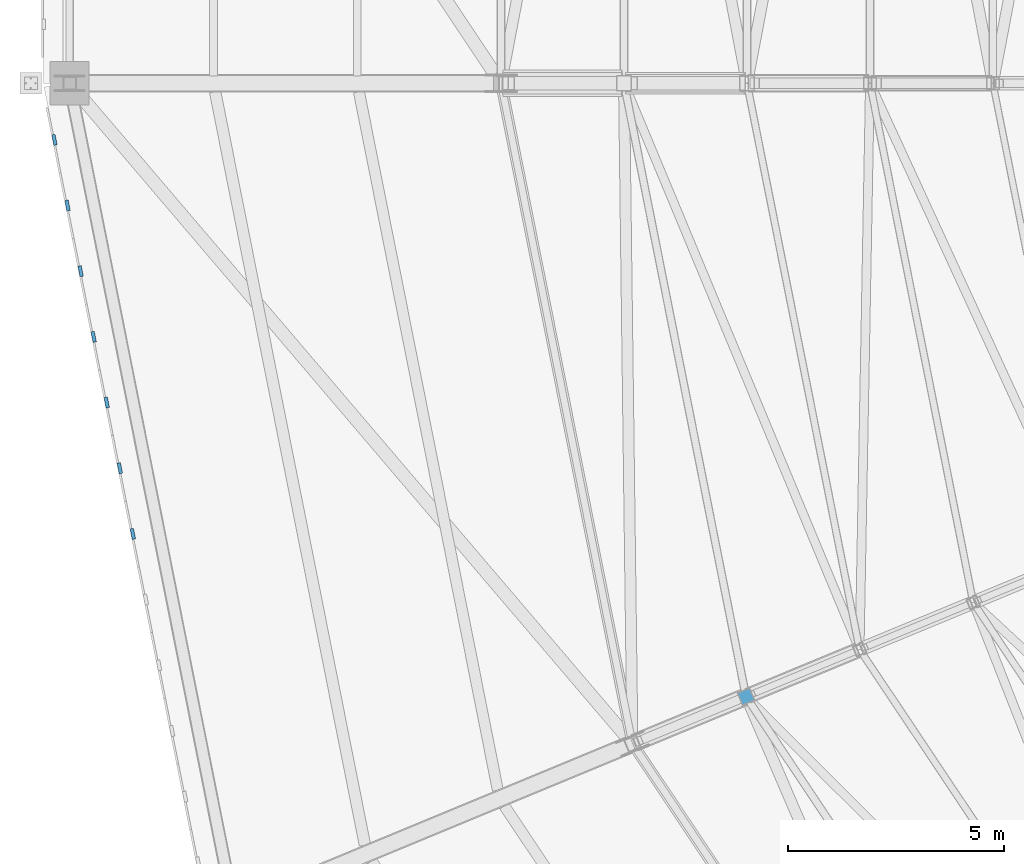
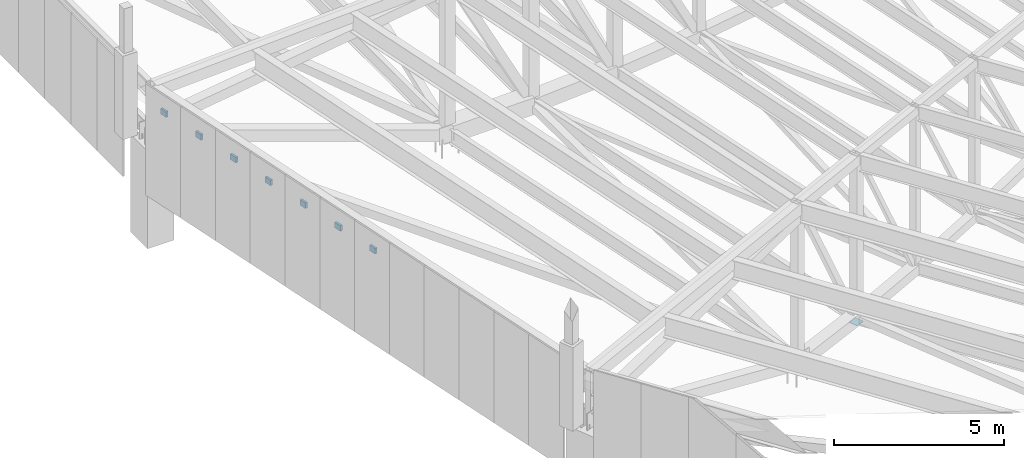
# One storey, part 125 of 278: 8 discrete accessories.
"""IFC4 building model written with IfcOpenShell, lengths in metres."""

import ifcopenshell
import ifcopenshell.guid

model = None  # the IFC model being written
_history = None  # IfcOwnerHistory: only IFC2X3 demands one
_inside = {}  # id of a spatial element -> (the spatial element, [elements in it])
_under = {}  # id of a project, library or spatial element -> (it, [spatial elements below it])
_declared = {}  # id of a project -> (the project, [libraries it declares])
_typed = {}  # id of a type object -> (the type object, [elements of that type])
_made_of = {}  # id of a material, layer set ... -> (it, [elements and type objects made of it])


def new_model(schema):
    """Start an empty IFC model of exactly this schema.

    Asked for "IFC4X3", IfcOpenShell would pick the latest addendum, in which some entities
    have other attributes; the version numbers below select the first issue.
    IFC2X3 requires an IfcOwnerHistory on every rooted entity: one is made here for all.
    """
    global model, _history
    if schema == "IFC4X3":
        model = ifcopenshell.file(schema_version=(4, 3, 0, 0))
    else:
        model = ifcopenshell.file(schema=schema)
    _inside.clear()
    _under.clear()
    _declared.clear()
    _typed.clear()
    _made_of.clear()
    _history = None
    if model.schema == "IFC2X3":
        org = make("IfcOrganization", Name="unknown")
        user = make(
            "IfcPersonAndOrganization",
            ThePerson=make("IfcPerson", FamilyName="unknown"),
            TheOrganization=org,
        )
        app = make(
            "IfcApplication",
            ApplicationDeveloper=org,
            Version="unknown",
            ApplicationFullName="unknown",
            ApplicationIdentifier="unknown",
        )
        _history = make(
            "IfcOwnerHistory",
            OwningUser=user,
            OwningApplication=app,
            ChangeAction="ADDED",
            CreationDate=0,
        )
    return model


def make(cls, **values):
    """One entity of the class cls with the attributes given. An attribute that is None is left unset."""
    return model.create_entity(
        cls, **{name: value for name, value in values.items() if value is not None}
    )


def rooted(cls, **values):
    """An entity with a GlobalId (a new one), such as an element, a storey or a relation."""
    return make(cls, GlobalId=ifcopenshell.guid.new(), OwnerHistory=_history, **values)


def si_unit(unit_type, name, prefix=None):
    """IfcSIUnit, for example si_unit("LENGTHUNIT", "METRE", prefix="MILLI")."""
    return make("IfcSIUnit", UnitType=unit_type, Prefix=prefix, Name=name)


def assignment(units):
    """IfcUnitAssignment: the units of a project."""
    return None if units is None else make("IfcUnitAssignment", Units=units)


def point(xyz):
    """IfcCartesianPoint."""
    return None if xyz is None else make("IfcCartesianPoint", Coordinates=xyz)


def direction(xyz):
    """IfcDirection."""
    return None if xyz is None else make("IfcDirection", DirectionRatios=xyz)


def frame(location, z_axis=None, x_axis=None):
    """IfcAxis2Placement3D, a coordinate frame: its origin and axes. An axis left out is left unset."""
    return make(
        "IfcAxis2Placement3D",
        Location=point(location),
        Axis=direction(z_axis),
        RefDirection=direction(x_axis),
    )


def frame_2d(location, x_axis=None):
    """IfcAxis2Placement2D, a coordinate frame in the plane: its origin and x axis."""
    return make(
        "IfcAxis2Placement2D", Location=point(location), RefDirection=direction(x_axis)
    )


def origin():
    """The frame at (0, 0, 0) with its axes left unset."""
    return frame((0.0, 0.0, 0.0))


def origin_2d():
    """The frame at (0, 0) in the plane with its x axis left unset."""
    return frame_2d((0.0, 0.0))


def place(relative_to, where):
    """IfcLocalPlacement: puts the frame where relative to a parent placement (None: the world)."""
    return make(
        "IfcLocalPlacement", PlacementRelTo=relative_to, RelativePlacement=where
    )


def context(
    kind, dimensions, precision=None, world=None, true_north=None, identifier=None
):
    """IfcGeometricRepresentationContext, for example the 3D "Model" context."""
    return make(
        "IfcGeometricRepresentationContext",
        ContextIdentifier=identifier,
        ContextType=kind,
        CoordinateSpaceDimension=dimensions,
        Precision=precision,
        WorldCoordinateSystem=world,
        TrueNorth=true_north,
    )


def subcontext(parent, identifier, kind, view, scale=None):
    """IfcGeometricRepresentationSubContext, for example "Body" below "Model"."""
    return make(
        "IfcGeometricRepresentationSubContext",
        ContextIdentifier=identifier,
        ContextType=kind,
        ParentContext=parent,
        TargetScale=scale,
        TargetView=view,
    )


def project(units=None, contexts=None):
    """IfcProject with its units and contexts."""
    return rooted(
        "IfcProject",
        Name="project",
        RepresentationContexts=contexts,
        UnitsInContext=assignment(units),
    )


def spatial(cls, under=None, at=None, **own):
    """A site, building, storey or space (cls), placed at a placement, below another one or the project."""
    s = rooted(cls, ObjectPlacement=at, **own)
    if under is not None:
        _under.setdefault(under.id(), (under, []))[1].append(s)
    return s


def profile(cls, at=None, kind="AREA", **sizes):
    """A parametric profile (cls). Its sizes go by their IFC names, for example OverallWidth=200.0."""
    return make(cls, ProfileType=kind, Position=at, **sizes)


def rectangle(**sizes):
    """IfcRectangleProfileDef."""
    return profile("IfcRectangleProfileDef", **sizes)


def extrude(swept, where, along, depth):
    """IfcExtrudedAreaSolid: the profile swept, set in the frame where, extruded along a direction by depth."""
    return make(
        "IfcExtrudedAreaSolid",
        SweptArea=swept,
        Position=where,
        ExtrudedDirection=direction(along),
        Depth=depth,
    )


def shape(context_of_items, identifier, shape_type, items):
    """IfcShapeRepresentation: the items that make up one representation, for example the "Body"."""
    return make(
        "IfcShapeRepresentation",
        ContextOfItems=context_of_items,
        RepresentationIdentifier=identifier,
        RepresentationType=shape_type,
        Items=items,
    )


def material(Name=None, Category=None):
    """IfcMaterial."""
    return make("IfcMaterial", Name=Name, Category=Category)


def layer(
    of_material, thickness, ventilated=None, Name=None, Category=None, Priority=None
):
    """IfcMaterialLayer: one layer of a wall or slab, of a material (None: an air gap)."""
    return make(
        "IfcMaterialLayer",
        Material=of_material,
        LayerThickness=thickness,
        IsVentilated=ventilated,
        Name=Name,
        Category=Category,
        Priority=Priority,
    )


def layer_set(layers, Name=None):
    """IfcMaterialLayerSet."""
    return make("IfcMaterialLayerSet", MaterialLayers=layers, LayerSetName=Name)


def made_of(thing, what):
    """Note that an element or type object is made of a material, layer set ...; save() writes the relation."""
    if what is not None:
        _made_of.setdefault(what.id(), (what, []))[1].append(thing)
    return thing


def type_object(cls, material=None, **own):
    """A type object (cls), such as IfcWallType, which elements share."""
    return made_of(rooted(cls, **own), material)


def element(
    cls,
    number,
    at=None,
    inside=None,
    cuts=None,
    type_object=None,
    material=None,
    context=None,
    identifier="Body",
    shape_type=None,
    held_by="IfcProductDefinitionShape",
    body=None,
    shapes=None,
    **own,
):
    """One element of the class cls, such as IfcWall. Its Tag is "e" and its number.

    at: its placement. inside: the storey or other place that contains it. cuts: it is an
    opening in that element (IfcRelVoidsElement). A single representation is given by context,
    identifier, shape_type and body (its items); several are given by shapes. held_by: the class
    of the entity that holds the representations. save() writes the other relations.
    """
    e = rooted(cls, Tag="e%d" % number, ObjectPlacement=at, **own)
    if body is not None:
        shapes = [shape(context, identifier, shape_type, body)]
    if shapes is not None:
        e.Representation = make(held_by, Representations=shapes)
    if inside is not None:
        _inside.setdefault(inside.id(), (inside, []))[1].append(e)
    if cuts is not None:
        rooted(
            "IfcRelVoidsElement", RelatingBuildingElement=cuts, RelatedOpeningElement=e
        )
    if type_object is not None:
        _typed.setdefault(type_object.id(), (type_object, []))[1].append(e)
    return made_of(e, material)


def aggregate(whole, parts):
    """IfcRelAggregates: a whole, such as a stair, and the parts it consists of."""
    return rooted("IfcRelAggregates", RelatingObject=whole, RelatedObjects=parts)


def save(model, path):
    """Write the relations noted so far, then the file.

    IfcRelAggregates (storeys below a building ...), IfcRelContainedInSpatialStructure (elements
    in a storey), IfcRelDefinesByType, IfcRelAssociatesMaterial and IfcRelDeclares: one each for
    every whole, place, type object, material and project.
    """
    for whole, parts in _under.values():
        aggregate(whole, parts)
    for where, things in _inside.values():
        rooted(
            "IfcRelContainedInSpatialStructure",
            RelatedElements=things,
            RelatingStructure=where,
        )
    for kind, things in _typed.values():
        rooted("IfcRelDefinesByType", RelatedObjects=things, RelatingType=kind)
    for what, things in _made_of.values():
        rooted("IfcRelAssociatesMaterial", RelatedObjects=things, RelatingMaterial=what)
    for by, libraries in _declared.values():
        rooted("IfcRelDeclares", RelatingContext=by, RelatedDefinitions=libraries)
    model.write(path)


model = new_model("IFC4")

# Units and contexts
model_context = context("Model", 3, precision=1e-05, world=origin(), true_north=direction((0.0, 1.0)))
body_context = subcontext(model_context, "Body", "Model", "MODEL_VIEW")
ifc_project = project(units=[si_unit("LENGTHUNIT", "METRE"), si_unit("AREAUNIT", "SQUARE_METRE"), si_unit("VOLUMEUNIT", "CUBIC_METRE"), si_unit("PLANEANGLEUNIT", "RADIAN"), si_unit("MASSUNIT", "GRAM", prefix="KILO")], contexts=[model_context])

# Site, building, storey
site_placement = place(None, origin())
site = spatial("IfcSite", under=ifc_project, at=site_placement, CompositionType="ELEMENT")
building_placement = place(site_placement, origin())
building = spatial("IfcBuilding", under=site, at=building_placement, Name="Ogive Plaza Stadium", CompositionType="ELEMENT")
storey_placement = place(building_placement, frame((0.0, 0.0, 29.0)))
storey = spatial("IfcBuildingStorey", under=building, at=storey_placement, Name="Roof", CompositionType="ELEMENT", Elevation=29.0)

# Discrete accessories
ifc_material_1 = material(Name="Steel ASTM A992 Grade 50", Category="steel")
ifc_layer_1 = layer(ifc_material_1, 0.02001953125)
ifc_layer_set_1 = layer_set([ifc_layer_1], Name="Steel ASTM A992 Grade 50")
discrete_accessory_type_1 = type_object("IfcDiscreteAccessoryType", Name="Roof truss post cap plate 20", PredefinedType="ANCHORPLATE", material=ifc_layer_set_1)
discrete_accessory_placement = place(storey_placement, frame((-68.322021484375, -66.716796875, 0.04541015625), z_axis=(0.0, 0.0, 1.0), x_axis=(-0.923879532511, -0.382683432365, 0.0)))
element("IfcDiscreteAccessory", 1, at=discrete_accessory_placement, inside=storey, type_object=discrete_accessory_type_1, Name="ROOF TRUSS POST CAP PLATE 20 10", PredefinedType="ANCHORPLATE", context=body_context, shape_type="SweptSolid", body=[
    extrude(rectangle(XDim=0.3046875, YDim=0.3046875, at=origin_2d()), origin(), (0.0, 0.0, 1.0), 0.02001953125),
])
ifc_material_2 = material(Name="Steel ASTM A572 Grade 50", Category="steel")
ifc_layer_2 = layer(ifc_material_2, 0.080078125)
ifc_layer_set_2 = layer_set([ifc_layer_2], Name="Steel ASTM A572 Grade 50")
discrete_accessory_type_2 = type_object("IfcDiscreteAccessoryType", Name="Tracery screen bracket 250x200", PredefinedType="BRACKET", material=ifc_layer_set_2)
for number, where, z_axis, x_axis, name in (
    (2, (-82.533447265625, -62.9453125, 5.25), (0.0, 0.0, 1.0), (-0.195090322016, 0.980785280403, 0.0), "TRACERY SCREEN BRACKET B20 6"),
    (3, (-82.836181640625, -61.4228515625, 5.25), (0.0, 0.0, 1.0), (-0.195090322016, 0.980785280403, 0.0), "TRACERY SCREEN BRACKET B20 7"),
    (4, (-83.13916015625, -59.900390625, 5.25), (0.0, 0.0, 1.0), (-0.195090322016, 0.980785280403, 0.0), "TRACERY SCREEN BRACKET B20 8"),
    (5, (-83.44189453125, -58.378173828125, 5.25), (0.0, 0.0, 1.0), (-0.195090322016, 0.980785280403, 0.0), "TRACERY SCREEN BRACKET B20 9"),
    (6, (-83.744873046875, -56.855712890625, 5.25), (0.0, 0.0, 1.0), (-0.195090322016, 0.980785280403, 0.0), "TRACERY SCREEN BRACKET B20 10"),
    (7, (-84.047607421875, -55.33349609375, 5.25), (0.0, 0.0, 1.0), (-0.195090322016, 0.980785280403, 0.0), "TRACERY SCREEN BRACKET B20 11"),
    (8, (-84.350341796875, -53.811279296875, 5.25), (0.0, 0.0, 1.0), (-0.195090322016, 0.980785280403, 0.0), "TRACERY SCREEN BRACKET B20 12"),
):
    element("IfcDiscreteAccessory", number, at=place(storey_placement, frame(where, z_axis=z_axis, x_axis=x_axis)), inside=storey, type_object=discrete_accessory_type_2, Name=name, PredefinedType="BRACKET", context=body_context, shape_type="SweptSolid", body=[
        extrude(rectangle(XDim=0.25, YDim=0.080078125, at=origin_2d()), origin(), (0.0, 0.0, 1.0), 0.199951171875),
    ])

save(model, "model.ifc")
